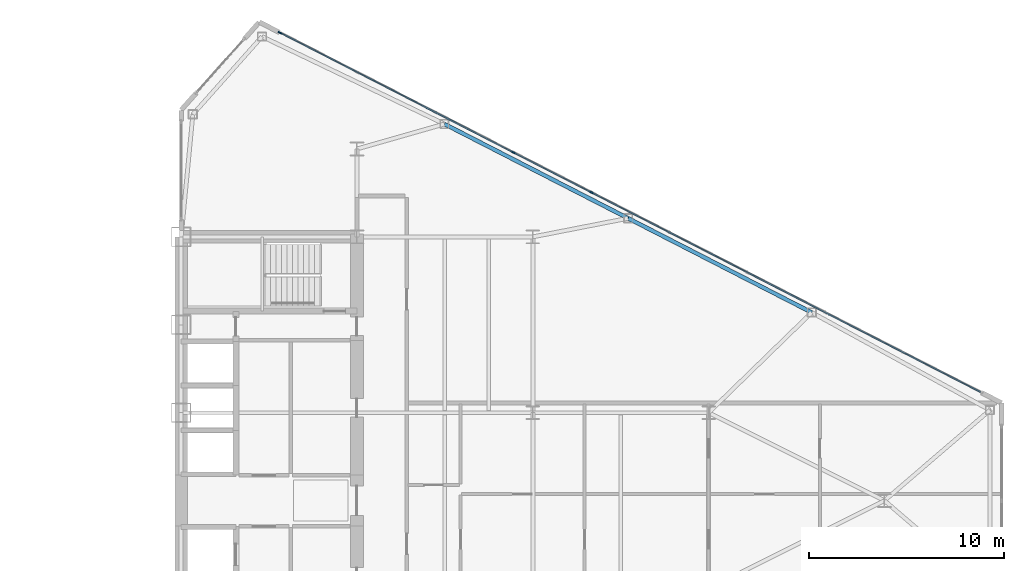
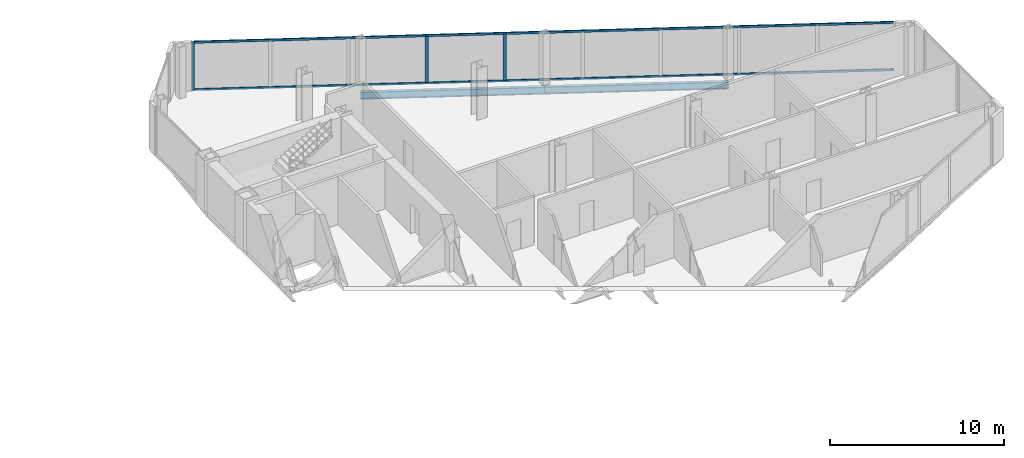
# One storey, part 12 of 23: 5 members, 2 beams, 1 element without a shape of its own.
"""IFC4 building model written with IfcOpenShell, lengths in metres."""

from ifc_helpers import new_model, si_unit, direction, frame, origin, origin_2d, place, context, subcontext, project, spatial, rectangle, i_section, extrude, source, transform, mapped, material, layer, layer_set, material_profile, profile_set, type_object, type_shapes, element, aggregate, save


model = new_model("IFC4")

# Units and contexts
model_context = context("Model", 3, precision=1e-05, world=origin(), true_north=direction((0.0, 1.0)))
body_context = subcontext(model_context, "Body", "Model", "MODEL_VIEW")
ifc_project = project(units=[si_unit("LENGTHUNIT", "METRE"), si_unit("AREAUNIT", "SQUARE_METRE"), si_unit("VOLUMEUNIT", "CUBIC_METRE"), si_unit("PLANEANGLEUNIT", "RADIAN"), si_unit("MASSUNIT", "GRAM", prefix="KILO")], contexts=[model_context])

# Site, building, storey
site_placement = place(None, origin())
site = spatial("IfcSite", under=ifc_project, at=site_placement, CompositionType="ELEMENT")
building_placement = place(site_placement, origin())
building = spatial("IfcBuilding", under=site, at=building_placement, Name="Seokmaru Belvedere", CompositionType="ELEMENT")
storey_placement = place(building_placement, frame((0.0, 0.0, 128.39990234375)))
storey = spatial("IfcBuildingStorey", under=building, at=storey_placement, Name="L34", CompositionType="ELEMENT", Elevation=128.39990234375)

# Beams
ifc_material_1 = material(Name="Steel SM355 (355 MPa)", Category="steel")
ifc_material_profile_1 = material_profile(ifc_material_1, i_section(OverallWidth=0.199951171875, OverallDepth=0.5, WebThickness=0.010009765625, FlangeThickness=0.01611328125, at=origin_2d()), Name="H-500x200x10x16")
ifc_profile_set_1 = profile_set([ifc_material_profile_1], Name="Steel SM355 (355 MPa)")
beam_type = type_object("IfcBeamType", Name="Perimeter Spandrel Beam H-500", PredefinedType="SPANDREL", material=ifc_profile_set_1)
shared_shape_1 = source(origin(), body_context, "Body", "SweptSolid", [
    extrude(i_section(OverallWidth=0.199951171875, OverallDepth=0.5, WebThickness=0.010009765625, FlangeThickness=0.01611328125, at=origin_2d()), origin(), (0.0, 0.0, 1.0), 10.56689453125),
])
type_shapes(beam_type, [shared_shape_1])
for number, where, z_axis, x_axis, name in (
    (1, (40.975830078125, 19.277587890625, -0.469970703125), (0.889701972758, -0.45654178305, 0.0), (0.45654178305, 0.889701972758, 0.0), "L34 E Faceted Flank Spandrel N-2"),
    (2, (50.377197265625, 14.453369140625, -0.469970703125), (0.889692588006, -0.456560071455, 0.0), (0.456560071455, 0.889692588006, 0.0), "L34 E Faceted Flank Spandrel N-3"),
):
    element("IfcBeam", number, at=place(storey_placement, frame(where, z_axis=z_axis, x_axis=x_axis)), inside=storey, type_object=beam_type, Name=name, PredefinedType="SPANDREL", context=body_context, shape_type="MappedRepresentation", body=[
        mapped(shared_shape_1, transform((0.0, 0.0, 0.0), scale=1.0)),
    ])

# Curtain wall, members
ifc_material_2 = material(Name="Bronze Triple Insulating Glass", Category="glass")
ifc_layer = layer(ifc_material_2, 0.195068359375)
ifc_layer_set = layer_set([ifc_layer], Name="Bronze Triple Insulating Glass")
curtain_wall_type = type_object("IfcCurtainWallType", Name="Sky-Lobby and Mid-Rise Curtain Wall System CW-4", PredefinedType="NOTDEFINED", material=ifc_layer_set)
curtain_wall_placement = place(storey_placement, origin())
curtain_wall = element("IfcCurtainWall", 3, at=curtain_wall_placement, inside=storey, type_object=curtain_wall_type, Name="L34 Curtain Wall EF3", PredefinedType="NOTDEFINED")
ifc_material_3 = material(Name="Anodised Bronze Aluminium", Category="aluminium")
ifc_material_profile_2 = material_profile(ifc_material_3, rectangle(XDim=0.070068359375, YDim=0.195068359375, at=origin_2d()), Name="CW-M-70x195")
ifc_profile_set_2 = profile_set([ifc_material_profile_2], Name="Anodised Bronze Aluminium")
member_type_1 = type_object("IfcMemberType", Name="Bronze Unitised Mullion 70x195", PredefinedType="MULLION", material=ifc_profile_set_2)
shared_shape_2 = source(origin(), body_context, "Body", "SweptSolid", [
    extrude(rectangle(XDim=0.070068359375, YDim=0.195068359375, at=origin_2d()), origin(), (0.0, 0.0, 1.0), 3.380126953125),
])
member_1_placement = place(storey_placement, frame((32.55419921875, 23.958984375, 0.0), z_axis=(0.0, 0.0, 1.0), x_axis=(-0.456554528263, -0.889695432562, 0.0)))
member_1 = element("IfcMember", 4, at=member_1_placement, type_object=member_type_1, Name="CW:L34:EF3 Mullion 10", PredefinedType="MULLION", context=body_context, shape_type="MappedRepresentation", body=[
    mapped(shared_shape_2, transform((0.0, 0.0, 0.0), scale=1.0)),
])
shared_shape_3 = source(origin(), body_context, "Body", "SweptSolid", [
    extrude(rectangle(XDim=0.070068359375, YDim=0.195068359375, at=origin_2d()), origin(), (0.0, 0.0, 1.0), 3.25),
])
type_shapes(member_type_1, [shared_shape_2, shared_shape_3])
member_2_placement = place(storey_placement, frame((48.502685546875, 15.77490234375, 0.065185546875), z_axis=(0.0, 0.0, 1.0), x_axis=(-0.456554528263, -0.889695432562, 0.0)))
member_2 = element("IfcMember", 5, at=member_2_placement, type_object=member_type_1, Name="CW:L34:EF3 Mullion 6", PredefinedType="MULLION", context=body_context, shape_type="MappedRepresentation", body=[
    mapped(shared_shape_3, transform((0.0, 0.0, 0.0), scale=1.0)),
])
member_3_placement = place(storey_placement, frame((44.5078125, 17.824951171875, 0.065185546875), z_axis=(0.0, 0.0, 1.0), x_axis=(-0.456554528263, -0.889695432562, 0.0)))
member_3 = element("IfcMember", 6, at=member_3_placement, type_object=member_type_1, Name="CW:L34:EF3 Mullion 7", PredefinedType="MULLION", context=body_context, shape_type="MappedRepresentation", body=[
    mapped(shared_shape_3, transform((0.0, 0.0, 0.0), scale=1.0)),
])
ifc_material_profile_3 = material_profile(ifc_material_3, rectangle(XDim=0.06494140625, YDim=0.14990234375, at=origin_2d()), Name="CW-T-65x150")
ifc_profile_set_3 = profile_set([ifc_material_profile_3], Name="Anodised Bronze Aluminium")
member_type_2 = type_object("IfcMemberType", Name="Bronze Unitised Transom 65x150", PredefinedType="USERDEFINED", material=ifc_profile_set_3)
shared_shape_4 = source(origin(), body_context, "Body", "SweptSolid", [
    extrude(rectangle(XDim=0.06494140625, YDim=0.14990234375, at=origin_2d()), origin(), (0.0, 0.0, 1.0), 40.271240234375),
])
type_shapes(member_type_2, [shared_shape_4])
member_4_placement = place(storey_placement, frame((68.41455078125, 5.556884765625, 0.03271484375), z_axis=(-0.889693089107, 0.456559094965, 0.0), x_axis=(-0.456559094965, -0.889693089107, 0.0)))
member_4 = element("IfcMember", 7, at=member_4_placement, type_object=member_type_2, Name="CW:L34:EF3 Continuous Transom 1", ObjectType="TRANSOM", PredefinedType="USERDEFINED", context=body_context, shape_type="MappedRepresentation", body=[
    mapped(shared_shape_4, transform((0.0, 0.0, 0.0), scale=1.0)),
])
member_5_placement = place(storey_placement, frame((68.41455078125, 5.556884765625, 3.34765625), z_axis=(-0.889693089107, 0.456559094965, 0.0), x_axis=(-0.456559094965, -0.889693089107, 0.0)))
member_5 = element("IfcMember", 8, at=member_5_placement, type_object=member_type_2, Name="CW:L34:EF3 Continuous Transom 2", ObjectType="TRANSOM", PredefinedType="USERDEFINED", context=body_context, shape_type="MappedRepresentation", body=[
    mapped(shared_shape_4, transform((0.0, 0.0, 0.0), scale=1.0)),
])
aggregate(curtain_wall, [member_2, member_3, member_1, member_4, member_5])

save(model, "model.ifc")
